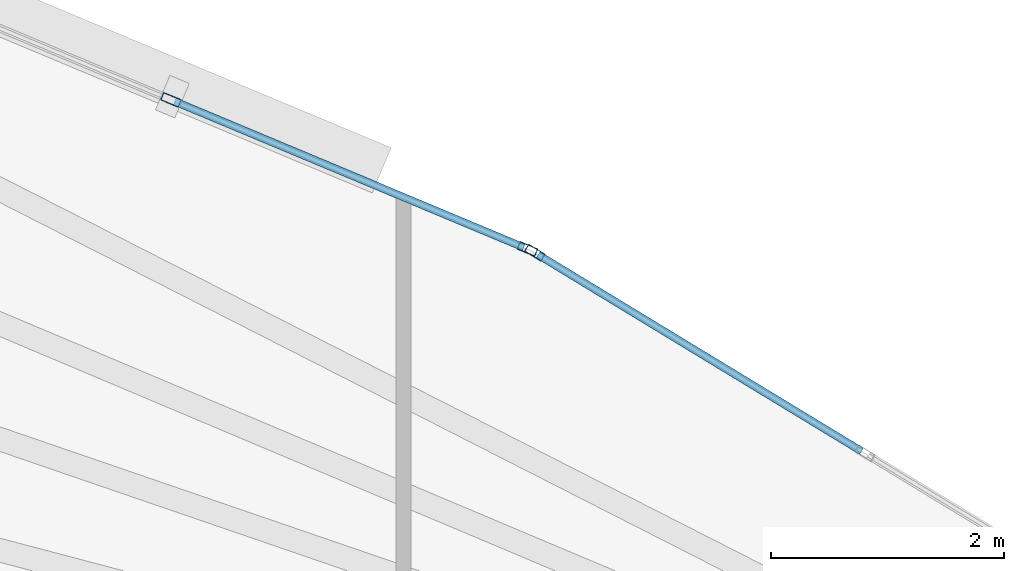
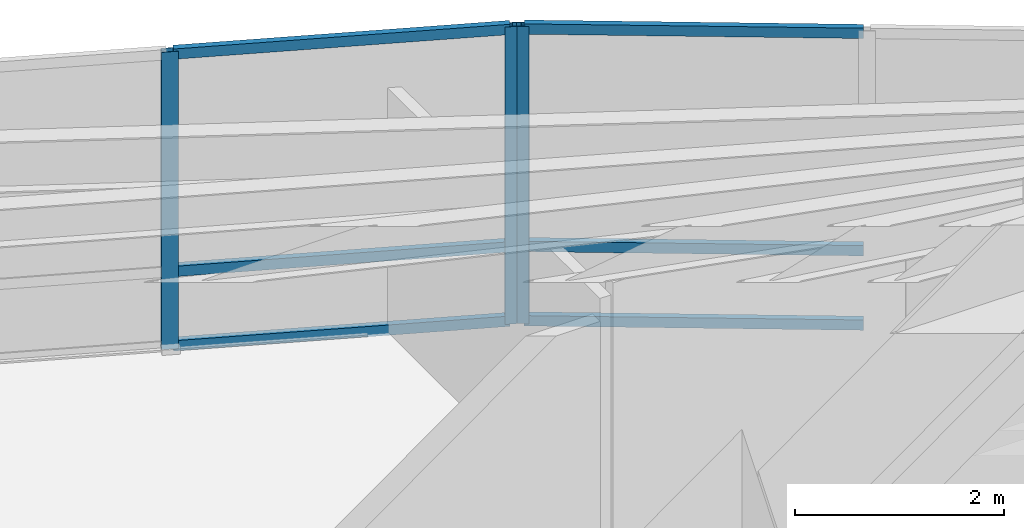
# One storey, part 12 of 17: 9 members, 2 elements without a shape of their own.
"""IFC4 building model written with IfcOpenShell, lengths in metres."""

from ifc_helpers import new_model, si_unit, direction, frame, origin, origin_2d, place, context, subcontext, project, spatial, hollow_rectangle, extrude, material, layer, layer_set, material_profile, profile_set, type_object, element, aggregate, save


model = new_model("IFC4")

# Units and contexts
model_context = context("Model", 3, precision=1e-05, world=origin(), true_north=direction((0.0, 1.0)))
body_context = subcontext(model_context, "Body", "Model", "MODEL_VIEW")
ifc_project = project(units=[si_unit("LENGTHUNIT", "METRE"), si_unit("AREAUNIT", "SQUARE_METRE"), si_unit("VOLUMEUNIT", "CUBIC_METRE"), si_unit("PLANEANGLEUNIT", "RADIAN"), si_unit("MASSUNIT", "GRAM", prefix="KILO")], contexts=[model_context])

# Site, building, storey
site_placement = place(None, origin())
site = spatial("IfcSite", under=ifc_project, at=site_placement, CompositionType="ELEMENT")
building_placement = place(site_placement, origin())
building = spatial("IfcBuilding", under=site, at=building_placement, Name="Menara Vayukalpa", CompositionType="ELEMENT")
storey_placement = place(building_placement, frame((0.0, 0.0, 46.199951171875)))
storey = spatial("IfcBuildingStorey", under=building, at=storey_placement, Name="L10", CompositionType="ELEMENT", Elevation=46.199951171875)

# Curtain wall, member
ifc_material_1 = material(Name="Anodised Terracotta Aluminium Alloy 6063-T6", Category="masonry")
ifc_layer = layer(ifc_material_1, 0.1650390625)
ifc_layer_set = layer_set([ifc_layer], Name="Anodised Terracotta Aluminium Alloy 6063-T6")
curtain_wall_type = type_object("IfcCurtainWallType", Name="CW-CW2", PredefinedType="USERDEFINED", material=ifc_layer_set)
curtain_wall_1_placement = place(storey_placement, origin())
curtain_wall_1 = element("IfcCurtainWall", 1, at=curtain_wall_1_placement, inside=storey, type_object=curtain_wall_type, Name="L10 Low Rise Terracotta Ribbon Curtain Wall CW2 04", ObjectType="UNITISED", PredefinedType="USERDEFINED")
ifc_material_2 = material(Name="Anodised Terracotta Aluminium Alloy 6063-T6", Category="masonry")
ifc_material_profile_1 = material_profile(ifc_material_2, hollow_rectangle(XDim=0.070068359375, YDim=0.1650390625, WallThickness=0.00390625, at=origin_2d()), Name="ALU 70x165x4")
ifc_profile_set_1 = profile_set([ifc_material_profile_1], Name="Anodised Terracotta Aluminium Alloy 6063-T6")
member_type_1 = type_object("IfcMemberType", Name="CWM-CW2", PredefinedType="MULLION", material=ifc_profile_set_1)
member_1_placement = place(storey_placement, frame((30.125, 32.30126953125, 0.0), z_axis=(0.0, 0.0, 1.0), x_axis=(-0.519181964377, -0.854663727945, 0.0)))
member_1 = element("IfcMember", 2, at=member_1_placement, type_object=member_type_1, Name="CW2 mullion 3", PredefinedType="MULLION", context=body_context, shape_type="SweptSolid", body=[
    extrude(hollow_rectangle(XDim=0.070068359375, YDim=0.1650390625, WallThickness=0.00390625, at=origin_2d()), origin(), (0.0, 0.0, 1.0), 3.469970703125),
])

# Curtain wall, members
curtain_wall_2_placement = place(storey_placement, origin())
curtain_wall_2 = element("IfcCurtainWall", 3, at=curtain_wall_2_placement, inside=storey, type_object=curtain_wall_type, Name="L10 Low Rise Terracotta Ribbon Curtain Wall CW2 05", ObjectType="UNITISED", PredefinedType="USERDEFINED")
member_2_placement = place(storey_placement, frame((30.062744140625, 32.3330078125, 0.0), z_axis=(0.0, 0.0, 1.0), x_axis=(-0.385895120445, -0.922542658101, 0.0)))
member_2 = element("IfcMember", 4, at=member_2_placement, type_object=member_type_1, Name="CW2 mullion 1", PredefinedType="MULLION", context=body_context, shape_type="SweptSolid", body=[
    extrude(hollow_rectangle(XDim=0.070068359375, YDim=0.1650390625, WallThickness=0.00390625, at=origin_2d()), origin(), (0.0, 0.0, 1.0), 3.469970703125),
])
member_3_placement = place(storey_placement, frame((27.0068359375, 33.611083984375, 0.0), z_axis=(0.0, 0.0, 1.0), x_axis=(-0.385895120445, -0.922542658101, 0.0)))
member_3 = element("IfcMember", 5, at=member_3_placement, type_object=member_type_1, Name="CW2 mullion 2", PredefinedType="MULLION", context=body_context, shape_type="SweptSolid", body=[
    extrude(hollow_rectangle(XDim=0.070068359375, YDim=0.1650390625, WallThickness=0.00390625, at=origin_2d()), origin(), (0.0, 0.0, 1.0), 3.469970703125),
])

# Member
ifc_material_3 = material(Name="Anodised Terracotta Aluminium Alloy 6063-T6", Category="masonry")
ifc_material_profile_2 = material_profile(ifc_material_3, hollow_rectangle(XDim=0.06494140625, YDim=0.1201171875, WallThickness=0.00341796875, at=origin_2d()), Name="ALU 65x120x3.5")
ifc_profile_set_2 = profile_set([ifc_material_profile_2], Name="Anodised Terracotta Aluminium Alloy 6063-T6")
member_type_2 = type_object("IfcMemberType", Name="CWT-CW2", PredefinedType="USERDEFINED", material=ifc_profile_set_2)
member_4_placement = place(storey_placement, frame((32.92626953125, 30.599609375, 0.032470703125), z_axis=(-0.854676552714, 0.519160851992, 0.0), x_axis=(-0.519160851992, -0.854676552714, 0.0)))
member_4 = element("IfcMember", 6, at=member_4_placement, type_object=member_type_2, Name="CW2 transom 2.1", ObjectType="TRANSOM", PredefinedType="USERDEFINED", context=body_context, shape_type="SweptSolid", body=[
    extrude(hollow_rectangle(XDim=0.06494140625, YDim=0.1201171875, WallThickness=0.00341796875, at=origin_2d()), origin(), (0.0, 0.0, 1.0), 3.242431640625),
])

member_5_placement = place(storey_placement, frame((32.92626953125, 30.599609375, 0.900146484375), z_axis=(-0.854676552714, 0.519160851992, 0.0), x_axis=(-0.519160851992, -0.854676552714, 0.0)))
member_5 = element("IfcMember", 7, at=member_5_placement, type_object=member_type_2, Name="CW2 transom 2.2", ObjectType="TRANSOM", PredefinedType="USERDEFINED", context=body_context, shape_type="SweptSolid", body=[
    extrude(hollow_rectangle(XDim=0.06494140625, YDim=0.1201171875, WallThickness=0.00341796875, at=origin_2d()), origin(), (0.0, 0.0, 1.0), 3.242431640625),
])

member_6_placement = place(storey_placement, frame((32.92626953125, 30.599609375, 3.4375), z_axis=(-0.854676552714, 0.519160851992, 0.0), x_axis=(-0.519160851992, -0.854676552714, 0.0)))
member_6 = element("IfcMember", 8, at=member_6_placement, type_object=member_type_2, Name="CW2 transom 2.3", ObjectType="TRANSOM", PredefinedType="USERDEFINED", context=body_context, shape_type="SweptSolid", body=[
    extrude(hollow_rectangle(XDim=0.06494140625, YDim=0.1201171875, WallThickness=0.00341796875, at=origin_2d()), origin(), (0.0, 0.0, 1.0), 3.242431640625),
])

aggregate(curtain_wall_1, [member_1, member_4, member_5, member_6])

member_7_placement = place(storey_placement, frame((30.030517578125, 32.346435546875, 0.032470703125), z_axis=(-0.922552588381, 0.385871379699, 0.0), x_axis=(-0.385871379699, -0.922552588381, 0.0)))
member_7 = element("IfcMember", 9, at=member_7_placement, type_object=member_type_2, Name="CW2 transom 1.1", ObjectType="TRANSOM", PredefinedType="USERDEFINED", context=body_context, shape_type="SweptSolid", body=[
    extrude(hollow_rectangle(XDim=0.06494140625, YDim=0.1201171875, WallThickness=0.00341796875, at=origin_2d()), origin(), (0.0, 0.0, 1.0), 3.24267578125),
])

member_8_placement = place(storey_placement, frame((30.030517578125, 32.346435546875, 0.900146484375), z_axis=(-0.922552588381, 0.385871379699, 0.0), x_axis=(-0.385871379699, -0.922552588381, 0.0)))
member_8 = element("IfcMember", 10, at=member_8_placement, type_object=member_type_2, Name="CW2 transom 1.2", ObjectType="TRANSOM", PredefinedType="USERDEFINED", context=body_context, shape_type="SweptSolid", body=[
    extrude(hollow_rectangle(XDim=0.06494140625, YDim=0.1201171875, WallThickness=0.00341796875, at=origin_2d()), origin(), (0.0, 0.0, 1.0), 3.24267578125),
])

member_9_placement = place(storey_placement, frame((30.030517578125, 32.346435546875, 3.4375), z_axis=(-0.922552588381, 0.385871379699, 0.0), x_axis=(-0.385871379699, -0.922552588381, 0.0)))
member_9 = element("IfcMember", 11, at=member_9_placement, type_object=member_type_2, Name="CW2 transom 1.3", ObjectType="TRANSOM", PredefinedType="USERDEFINED", context=body_context, shape_type="SweptSolid", body=[
    extrude(hollow_rectangle(XDim=0.06494140625, YDim=0.1201171875, WallThickness=0.00341796875, at=origin_2d()), origin(), (0.0, 0.0, 1.0), 3.24267578125),
])

aggregate(curtain_wall_2, [member_2, member_3, member_7, member_8, member_9])

save(model, "model.ifc")
